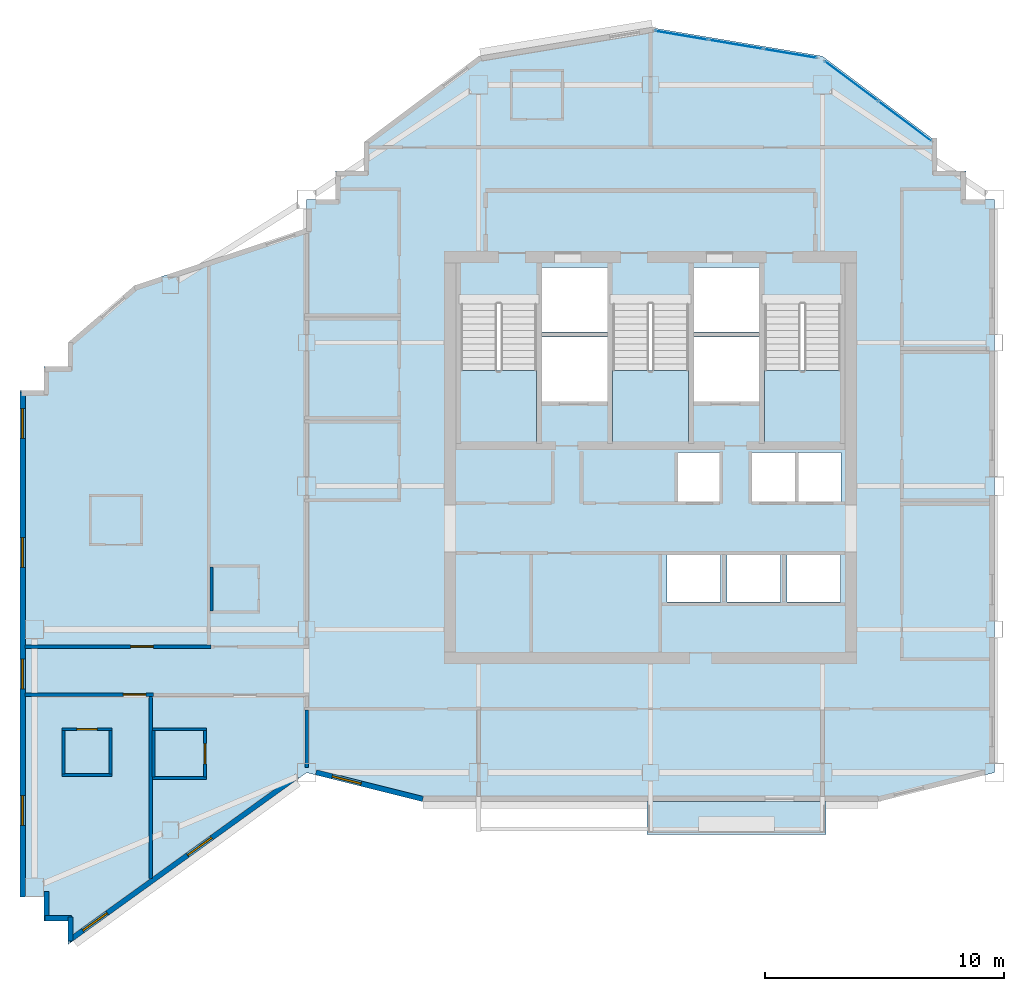
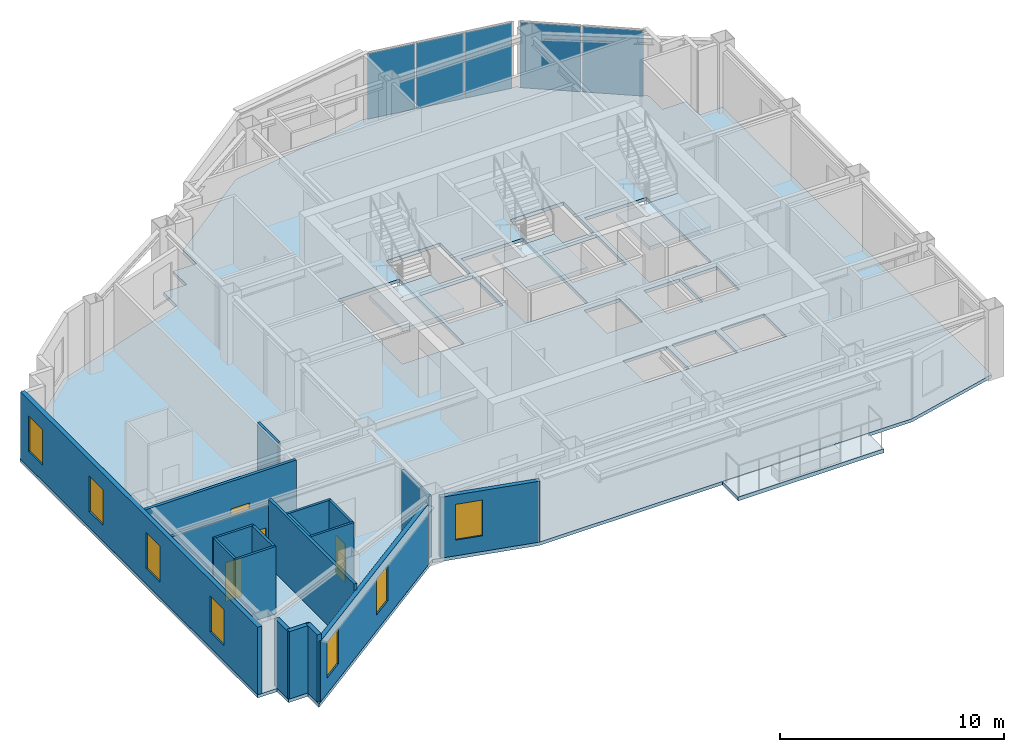
# One storey, part 4 of 10: 19 walls, 7 windows, 5 plates, 5 slabs, 4 doors, 11 openings, 5 elements without a shape of their own.
"""IFC4 building model written with IfcOpenShell, lengths in metres."""

from ifc_helpers import new_model, si_unit, direction, frame, frame_2d, origin, origin_2d, place, context, subcontext, project, spatial, polyline, rectangle, outline, extrude, material, layer, layer_set, type_object, element, fill, aggregate, save


model = new_model("IFC4")

# Units and contexts
model_context = context("Model", 3, precision=1e-05, world=origin(), true_north=direction((0.0, 1.0)))
body_context = subcontext(model_context, "Body", "Model", "MODEL_VIEW")
ifc_project = project(units=[si_unit("LENGTHUNIT", "METRE"), si_unit("AREAUNIT", "SQUARE_METRE"), si_unit("VOLUMEUNIT", "CUBIC_METRE"), si_unit("PLANEANGLEUNIT", "RADIAN"), si_unit("MASSUNIT", "GRAM", prefix="KILO")], contexts=[model_context])

# Site, building, storey
site_placement = place(None, origin())
site = spatial("IfcSite", under=ifc_project, at=site_placement, CompositionType="ELEMENT")
building_placement = place(site_placement, origin())
building = spatial("IfcBuilding", under=site, at=building_placement, Name="Haolan Belvedere Tower", CompositionType="ELEMENT")
storey_placement = place(building_placement, frame((0.0, 0.0, 246.75)))
storey = spatial("IfcBuildingStorey", under=building, at=storey_placement, Name="L62", CompositionType="ELEMENT", Elevation=246.75)

# Curtain wall, plates
ifc_material_1 = material(Name="Anodised champagne-silver aluminium 6063-T6 and Low-E glass", Category="aluminium")
ifc_layer_1 = layer(ifc_material_1, 0.14501953125, Name="Anodised champagne-silver aluminium 6063-T6 and Low-E glass")
ifc_layer_set_1 = layer_set([ifc_layer_1], Name="Anodised champagne-silver aluminium 6063-T6 and Low-E glass")
curtain_wall_type = type_object("IfcCurtainWallType", Name="CW-SYS-05", PredefinedType="NOTDEFINED", material=ifc_layer_set_1)
curtain_wall_1_placement = place(storey_placement, origin())
curtain_wall_1 = element("IfcCurtainWall", 1, at=curtain_wall_1_placement, inside=storey, type_object=curtain_wall_type, Name="L62 CW-SYS-05 ribbon curtain wall 8.1", PredefinedType="NOTDEFINED")
ifc_material_2 = material(Name="Double silver Low-E laminated insulating glass", Category="glass")
ifc_layer_2 = layer(ifc_material_2, 0.02197265625, Name="Double silver Low-E laminated insulating glass")
ifc_layer_set_2 = layer_set([ifc_layer_2], Name="Double silver Low-E laminated insulating glass")
plate_type = type_object("IfcPlateType", Name="CW-SYS-05-PNL", PredefinedType="CURTAIN_PANEL", material=ifc_layer_set_2)
plate_1_placement = place(storey_placement, frame((49.03955078125, 48.8828125, 0.0498046875), z_axis=(0.0, 0.0, 1.0), x_axis=(-0.799997871638, 0.600002837806, 0.0)))
plate_1 = element("IfcPlate", 2, at=plate_1_placement, type_object=plate_type, Name="CW-05 panel 1.1", PredefinedType="CURTAIN_PANEL", context=body_context, shape_type="SweptSolid", body=[
    extrude(rectangle(XDim=2.738037109375, YDim=0.02197265625, at=origin_2d()), origin(), (0.0, 0.0, 1.0), 3.570068359375),
])
plate_2_placement = place(storey_placement, frame((46.805908203125, 50.55810546875, 0.0498046875), z_axis=(0.0, 0.0, 1.0), x_axis=(-0.799997871638, 0.600002837806, 0.0)))
plate_2 = element("IfcPlate", 3, at=plate_2_placement, type_object=plate_type, Name="CW-05 panel 2.1", PredefinedType="CURTAIN_PANEL", context=body_context, shape_type="SweptSolid", body=[
    extrude(rectangle(XDim=2.738037109375, YDim=0.02197265625, at=origin_2d()), origin(), (0.0, 0.0, 1.0), 3.570068359375),
])
aggregate(curtain_wall_1, [plate_1, plate_2])

curtain_wall_2_placement = place(storey_placement, origin())
curtain_wall_2 = element("IfcCurtainWall", 4, at=curtain_wall_2_placement, inside=storey, type_object=curtain_wall_type, Name="L62 CW-SYS-05 ribbon curtain wall 9.1", PredefinedType="NOTDEFINED")
plate_3_placement = place(storey_placement, frame((44.257568359375, 51.712158203125, 0.0498046875), z_axis=(0.0, 0.0, 1.0), x_axis=(-0.98639276122, 0.164405962825, 0.0)))
plate_3 = element("IfcPlate", 5, at=plate_3_placement, type_object=plate_type, Name="CW-05 panel 1.1", PredefinedType="CURTAIN_PANEL", context=body_context, shape_type="SweptSolid", body=[
    extrude(rectangle(XDim=2.24365234375, YDim=0.02197265625, at=origin_2d()), origin(), (0.0, 0.0, 1.0), 3.570068359375),
])
plate_4_placement = place(storey_placement, frame((41.977783203125, 52.09228515625, 0.0498046875), z_axis=(0.0, 0.0, 1.0), x_axis=(-0.98639276122, 0.164405962825, 0.0)))
plate_4 = element("IfcPlate", 6, at=plate_4_placement, type_object=plate_type, Name="CW-05 panel 2.1", PredefinedType="CURTAIN_PANEL", context=body_context, shape_type="SweptSolid", body=[
    extrude(rectangle(XDim=2.270751953125, YDim=0.02197265625, at=origin_2d()), origin(), (0.0, 0.0, 1.0), 3.570068359375),
])
plate_5_placement = place(storey_placement, frame((39.697998046875, 52.47216796875, 0.0498046875), z_axis=(0.0, 0.0, 1.0), x_axis=(-0.98639276122, 0.164405962825, 0.0)))
plate_5 = element("IfcPlate", 7, at=plate_5_placement, type_object=plate_type, Name="CW-05 panel 3.1", PredefinedType="CURTAIN_PANEL", context=body_context, shape_type="SweptSolid", body=[
    extrude(rectangle(XDim=2.24365234375, YDim=0.02197265625, at=origin_2d()), origin(), (0.0, 0.0, 1.0), 3.570068359375),
])
aggregate(curtain_wall_2, [plate_3, plate_4, plate_5])

# Slabs
ifc_material_3 = material(Name="Concrete C40/50", Category="concrete")
ifc_layer_3 = layer(ifc_material_3, 0.2099609375, Name="Concrete C40/50")
ifc_layer_set_3 = layer_set([ifc_layer_3], Name="Concrete C40/50")
slab_type_1 = type_object("IfcSlabType", Name="SL-BAL-210", PredefinedType="FLOOR", material=ifc_layer_set_3)
slab_1_placement = place(storey_placement, frame((0.0, 0.0, -0.22998046875)))
element("IfcSlab", 8, at=slab_1_placement, inside=storey, type_object=slab_type_1, Name="L62 structural tree-planter balcony slab BAL-L62-S1", PredefinedType="FLOOR", context=body_context, shape_type="SweptSolid", body=[
    extrude(outline(polyline([(38.25, 19.02001953125), (45.75, 19.02001953125), (45.75, 20.39990234375), (38.25, 20.39990234375), (38.25, 19.02001953125)])), origin(), (0.0, 0.0, 1.0), 0.2099609375),
])
ifc_layer_4 = layer(ifc_material_3, 0.179931640625, Name="Concrete C40/50")
ifc_layer_set_4 = layer_set([ifc_layer_4], Name="Concrete C40/50")
slab_type_2 = type_object("IfcSlabType", Name="SL-FLR-180", PredefinedType="FLOOR", material=ifc_layer_set_4)
slab_2_placement = place(storey_placement, frame((0.0, 0.0, -0.179931640625)))
element("IfcSlab", 9, at=slab_2_placement, inside=storey, type_object=slab_type_2, Name="L62 structural floor slab", PredefinedType="FLOOR", context=body_context, shape_type="SweptSolid", body=[
    extrude(outline(polyline([(24.0, 21.60009765625), (28.800048828125, 20.39990234375), (48.0, 20.39990234375), (52.800048828125, 21.60009765625), (52.800048828125, 45.60009765625), (51.60009765625, 45.60009765625), (51.60009765625, 46.800048828125), (50.39990234375, 46.800048828125), (50.39990234375, 48.0), (45.60009765625, 51.60009765625), (38.39990234375, 52.800048828125), (31.199951171875, 51.60009765625), (26.39990234375, 48.0), (26.39990234375, 46.800048828125), (25.199951171875, 46.800048828125), (25.199951171875, 45.60009765625), (24.0, 45.60009765625), (24.0, 44.39990234375), (16.800048828125, 42.0), (14.0, 39.60009765625), (14.0, 38.60009765625), (13.0, 38.60009765625), (13.0, 37.60009765625), (12.0, 37.60009765625), (12.0, 16.800048828125), (12.0, 16.39990234375), (13.0, 16.39990234375), (13.0, 15.39990234375), (14.0, 15.39990234375), (14.0, 14.39990234375), (24.0, 21.60009765625)]), holes=[polyline([(30.449951171875, 41.22998046875), (30.449951171875, 35.449951171875), (33.6298828125, 35.449951171875), (33.6298828125, 41.22998046875), (30.449951171875, 41.22998046875)]), polyline([(36.81005859375, 41.22998046875), (36.81005859375, 35.449951171875), (39.989990234375, 35.449951171875), (39.989990234375, 41.22998046875), (36.81005859375, 41.22998046875)]), polyline([(43.169921875, 41.22998046875), (43.169921875, 35.449951171875), (46.35009765625, 35.449951171875), (46.35009765625, 41.22998046875), (43.169921875, 41.22998046875)]), polyline([(33.830078125, 40.050048828125), (36.610107421875, 40.050048828125), (36.610107421875, 42.75), (33.830078125, 42.75), (33.830078125, 40.050048828125)]), polyline([(33.830078125, 37.14990234375), (36.610107421875, 37.14990234375), (36.610107421875, 39.85009765625), (33.830078125, 39.85009765625), (33.830078125, 37.14990234375)]), polyline([(40.18994140625, 40.050048828125), (42.969970703125, 40.050048828125), (42.969970703125, 42.75), (40.18994140625, 42.75), (40.18994140625, 40.050048828125)]), polyline([(40.18994140625, 37.14990234375), (42.969970703125, 37.14990234375), (42.969970703125, 39.85009765625), (40.18994140625, 39.85009765625), (40.18994140625, 37.14990234375)]), polyline([(39.5400390625, 32.949951171875), (41.389892578125, 32.949951171875), (41.389892578125, 35.0), (39.5400390625, 35.0), (39.5400390625, 32.949951171875)]), polyline([(42.6201171875, 32.949951171875), (44.469970703125, 32.949951171875), (44.469970703125, 35.0), (42.6201171875, 35.0), (42.6201171875, 32.949951171875)]), polyline([(44.580078125, 32.949951171875), (46.3798828125, 32.949951171875), (46.3798828125, 35.0), (44.580078125, 35.0), (44.580078125, 32.949951171875)]), polyline([(39.10009765625, 28.75), (41.340087890625, 28.75), (41.340087890625, 30.75), (39.10009765625, 30.75), (39.10009765625, 28.75)]), polyline([(41.610107421875, 28.75), (43.85009765625, 28.75), (43.85009765625, 30.75), (41.610107421875, 30.75), (41.610107421875, 28.75)]), polyline([(44.1201171875, 28.75), (46.360107421875, 28.75), (46.360107421875, 30.75), (44.1201171875, 30.75), (44.1201171875, 28.75)])]), origin(), (0.0, 0.0, 1.0), 0.179931640625),
])

# Stair, slab
stair_type = type_object("IfcStairType", Name="STR-DL-22R-175", PredefinedType="HALF_TURN_STAIR", material=ifc_material_3)
stair_1_placement = place(storey_placement, origin())
stair_1 = element("IfcStair", 10, at=stair_1_placement, inside=storey, type_object=stair_type, Name="L62 Smokeproof Core Exit Stair ST1", PredefinedType="HALF_TURN_STAIR")
ifc_layer_5 = layer(ifc_material_3, 0.199951171875, Name="Concrete C40/50")
ifc_layer_set_5 = layer_set([ifc_layer_5], Name="Concrete C40/50")
slab_type_3 = type_object("IfcSlabType", Name="SL-LAND-200", PredefinedType="LANDING", material=ifc_layer_set_5)
slab_3_placement = place(storey_placement, frame((0.0, 0.0, 1.72509765625)))
slab_3 = element("IfcSlab", 11, at=slab_3_placement, type_object=slab_type_3, Name="ST1 landing 1", PredefinedType="LANDING", context=body_context, shape_type="SweptSolid", body=[
    extrude(outline(polyline([(30.449951171875, 38.429931640625), (30.449951171875, 35.449951171875), (33.6298828125, 35.449951171875), (33.6298828125, 38.429931640625), (30.449951171875, 38.429931640625)])), origin(), (0.0, 0.0, 1.0), 0.199951171875),
])
aggregate(stair_1, [slab_3])

stair_2_placement = place(storey_placement, origin())
stair_2 = element("IfcStair", 12, at=stair_2_placement, inside=storey, type_object=stair_type, Name="L62 Smokeproof Core Exit Stair ST3", PredefinedType="HALF_TURN_STAIR")
slab_4_placement = place(storey_placement, frame((0.0, 0.0, 1.72509765625)))
slab_4 = element("IfcSlab", 13, at=slab_4_placement, type_object=slab_type_3, Name="ST3 landing 1", PredefinedType="LANDING", context=body_context, shape_type="SweptSolid", body=[
    extrude(outline(polyline([(36.81005859375, 38.429931640625), (36.81005859375, 35.449951171875), (39.989990234375, 35.449951171875), (39.989990234375, 38.429931640625), (36.81005859375, 38.429931640625)])), origin(), (0.0, 0.0, 1.0), 0.199951171875),
])
aggregate(stair_2, [slab_4])

stair_3_placement = place(storey_placement, origin())
stair_3 = element("IfcStair", 14, at=stair_3_placement, inside=storey, type_object=stair_type, Name="L62 Smokeproof Core Exit Stair ST2", PredefinedType="HALF_TURN_STAIR")
slab_5_placement = place(storey_placement, frame((0.0, 0.0, 1.72509765625)))
slab_5 = element("IfcSlab", 15, at=slab_5_placement, type_object=slab_type_3, Name="ST2 landing 1", PredefinedType="LANDING", context=body_context, shape_type="SweptSolid", body=[
    extrude(outline(polyline([(43.169921875, 38.429931640625), (43.169921875, 35.449951171875), (46.35009765625, 35.449951171875), (46.35009765625, 38.429931640625), (43.169921875, 38.429931640625)])), origin(), (0.0, 0.0, 1.0), 0.199951171875),
])
aggregate(stair_3, [slab_5])

# Wall, openings, windows
ifc_material_4 = material(Name="Precast concrete C40/50", Category="concrete")
ifc_layer_6 = layer(ifc_material_4, 0.219970703125, Name="Precast concrete C40/50")
ifc_layer_set_6 = layer_set([ifc_layer_6], Name="Precast concrete C40/50")
wall_type_1 = type_object("IfcWallType", Name="WL-EXT-220", PredefinedType="SOLIDWALL", material=ifc_layer_set_6)
wall_1_placement = place(storey_placement, frame((12.110107421875, 37.544921875, 0.0), z_axis=(0.0, 0.0, 1.0), x_axis=(0.0, -1.0, 0.0)))
wall_1 = element("IfcWall", 16, at=wall_1_placement, inside=storey, type_object=wall_type_1, Name="L62 pale-metal exterior spandrel wall 23.1", PredefinedType="SOLIDWALL", context=body_context, shape_type="SweptSolid", body=[
    extrude(rectangle(XDim=21.14501953125, YDim=0.219970703125, at=frame_2d((10.572509765625, 0.0))), origin(), (0.0, 0.0, 1.0), 3.669921875),
])
opening_1_placement = place(wall_1_placement, frame((0.699951171875, 0.0, 0.85009765625)))
opening_1 = element("IfcOpeningElement", 17, at=opening_1_placement, cuts=wall_1, Name="Opening W-04", PredefinedType="OPENING", context=body_context, shape_type="SweptSolid", body=[
    extrude(rectangle(XDim=1.25, YDim=1.949951171875, at=frame_2d((0.625, 0.97509765625))), frame((0.0, 0.119873046875, 0.0), z_axis=(0.0, -1.0, 0.0), x_axis=(1.0, 0.0, 0.0)), (0.0, 0.0, 1.0), 0.239990234375),
])
opening_2_placement = place(wall_1_placement, frame((6.10009765625, 0.0, 0.85009765625)))
opening_2 = element("IfcOpeningElement", 18, at=opening_2_placement, cuts=wall_1, Name="Opening W-04", PredefinedType="OPENING", context=body_context, shape_type="SweptSolid", body=[
    extrude(rectangle(XDim=1.25, YDim=1.949951171875, at=frame_2d((0.625, 0.97509765625))), frame((0.0, 0.119873046875, 0.0), z_axis=(0.0, -1.0, 0.0), x_axis=(1.0, 0.0, 0.0)), (0.0, 0.0, 1.0), 0.239990234375),
])
opening_3_placement = place(wall_1_placement, frame((11.18994140625, 0.0, 0.85009765625)))
opening_3 = element("IfcOpeningElement", 19, at=opening_3_placement, cuts=wall_1, Name="Opening W-04", PredefinedType="OPENING", context=body_context, shape_type="SweptSolid", body=[
    extrude(rectangle(XDim=1.25, YDim=1.949951171875, at=frame_2d((0.625, 0.97509765625))), frame((0.0, 0.119873046875, 0.0), z_axis=(0.0, -1.0, 0.0), x_axis=(1.0, 0.0, 0.0)), (0.0, 0.0, 1.0), 0.239990234375),
])
opening_4_placement = place(wall_1_placement, frame((16.89990234375, 0.0, 0.85009765625)))
opening_4 = element("IfcOpeningElement", 20, at=opening_4_placement, cuts=wall_1, Name="Opening W-04", PredefinedType="OPENING", context=body_context, shape_type="SweptSolid", body=[
    extrude(rectangle(XDim=1.25, YDim=1.949951171875, at=frame_2d((0.625, 0.97509765625))), frame((0.0, 0.119873046875, 0.0), z_axis=(0.0, -1.0, 0.0), x_axis=(1.0, 0.0, 0.0)), (0.0, 0.0, 1.0), 0.239990234375),
])
ifc_material_5 = material(Name="Anodised aluminium 6063-T6 and Low-E glass", Category="aluminium")
window_type = type_object("IfcWindowType", Name="WN-DECO-Z4", PartitioningType="SINGLE_PANEL", PredefinedType="WINDOW", material=ifc_material_5)
window_1_placement = place(opening_1_placement, origin())
window_1 = element("IfcWindow", 21, at=window_1_placement, inside=storey, type_object=window_type, Name="L62 Art Deco chevron window 1", OverallHeight=1.949951171875, OverallWidth=1.25, PartitioningType="SINGLE_PANEL", PredefinedType="WINDOW", context=body_context, shape_type="SweptSolid", body=[
    extrude(rectangle(XDim=1.25, YDim=1.949951171875, at=frame_2d((0.625, 0.97509765625))), frame((0.0, 0.030029296875, 0.0), z_axis=(0.0, -1.0, 0.0), x_axis=(1.0, 0.0, 0.0)), (0.0, 0.0, 1.0), 0.06005859375),
])
fill(opening_1, window_1)
window_2_placement = place(opening_2_placement, origin())
window_2 = element("IfcWindow", 22, at=window_2_placement, inside=storey, type_object=window_type, Name="L62 Art Deco chevron window 2", OverallHeight=1.949951171875, OverallWidth=1.25, PartitioningType="SINGLE_PANEL", PredefinedType="WINDOW", context=body_context, shape_type="SweptSolid", body=[
    extrude(rectangle(XDim=1.25, YDim=1.949951171875, at=frame_2d((0.625, 0.97509765625))), frame((0.0, 0.030029296875, 0.0), z_axis=(0.0, -1.0, 0.0), x_axis=(1.0, 0.0, 0.0)), (0.0, 0.0, 1.0), 0.06005859375),
])
fill(opening_2, window_2)
window_3_placement = place(opening_3_placement, origin())
window_3 = element("IfcWindow", 23, at=window_3_placement, inside=storey, type_object=window_type, Name="L62 Art Deco chevron window 3", OverallHeight=1.949951171875, OverallWidth=1.25, PartitioningType="SINGLE_PANEL", PredefinedType="WINDOW", context=body_context, shape_type="SweptSolid", body=[
    extrude(rectangle(XDim=1.25, YDim=1.949951171875, at=frame_2d((0.625, 0.97509765625))), frame((0.0, 0.030029296875, 0.0), z_axis=(0.0, -1.0, 0.0), x_axis=(1.0, 0.0, 0.0)), (0.0, 0.0, 1.0), 0.06005859375),
])
fill(opening_3, window_3)
window_4_placement = place(opening_4_placement, origin())
window_4 = element("IfcWindow", 24, at=window_4_placement, inside=storey, type_object=window_type, Name="L62 Art Deco chevron window 4", OverallHeight=1.949951171875, OverallWidth=1.25, PartitioningType="SINGLE_PANEL", PredefinedType="WINDOW", context=body_context, shape_type="SweptSolid", body=[
    extrude(rectangle(XDim=1.25, YDim=1.949951171875, at=frame_2d((0.625, 0.97509765625))), frame((0.0, 0.030029296875, 0.0), z_axis=(0.0, -1.0, 0.0), x_axis=(1.0, 0.0, 0.0)), (0.0, 0.0, 1.0), 0.06005859375),
])
fill(opening_4, window_4)

# Walls
wall_2_placement = place(storey_placement, frame((13.110107421875, 16.6201171875, 0.0), z_axis=(0.0, 0.0, 1.0), x_axis=(0.0, -1.0, 0.0)))
element("IfcWall", 25, at=wall_2_placement, inside=storey, type_object=wall_type_1, Name="L62 pale-metal exterior spandrel wall 25.1", PredefinedType="SOLIDWALL", context=body_context, shape_type="SweptSolid", body=[
    extrude(rectangle(XDim=1.1650390625, YDim=0.219970703125, at=frame_2d((0.58251953125, 0.0))), origin(), (0.0, 0.0, 1.0), 3.669921875),
])
wall_3_placement = place(storey_placement, frame((13.054931640625, 15.510009765625, 0.0), z_axis=(0.0, 0.0, 1.0), x_axis=(1.0, 0.0, 0.0)))
element("IfcWall", 26, at=wall_3_placement, inside=storey, type_object=wall_type_1, Name="L62 pale-metal exterior spandrel wall 26.1", PredefinedType="SOLIDWALL", context=body_context, shape_type="SweptSolid", body=[
    extrude(rectangle(XDim=1.110107421875, YDim=0.219970703125, at=frame_2d((0.55517578125, 0.0))), origin(), (0.0, 0.0, 1.0), 3.669921875),
])
wall_4_placement = place(storey_placement, frame((14.110107421875, 15.56494140625, 0.0), z_axis=(0.0, 0.0, 1.0), x_axis=(0.0, -1.0, 0.0)))
element("IfcWall", 27, at=wall_4_placement, inside=storey, type_object=wall_type_1, Name="L62 pale-metal exterior spandrel wall 27.1", PredefinedType="SOLIDWALL", context=body_context, shape_type="SweptSolid", body=[
    extrude(rectangle(XDim=1.005126953125, YDim=0.219970703125, at=frame_2d((0.50244140625, 0.0))), origin(), (0.0, 0.0, 1.0), 3.669921875),
])

# Wall, openings, windows
wall_5_placement = place(storey_placement, frame((14.0654296875, 14.58251953125, 0.0), z_axis=(0.0, 0.0, 1.0), x_axis=(0.811523708458, 0.584319493608, 0.0)))
wall_5 = element("IfcWall", 28, at=wall_5_placement, inside=storey, type_object=wall_type_1, Name="L62 pale-metal exterior spandrel wall 28.1", PredefinedType="SOLIDWALL", context=body_context, shape_type="SweptSolid", body=[
    extrude(rectangle(XDim=11.7587890625, YDim=0.219970703125, at=frame_2d((5.87939453125, 0.0))), origin(), (0.0, 0.0, 1.0), 3.31494140625),
])
opening_5_placement = place(wall_5_placement, frame((0.699951171875, 0.0, 0.85009765625)))
opening_5 = element("IfcOpeningElement", 29, at=opening_5_placement, cuts=wall_5, Name="Opening W-04", PredefinedType="OPENING", context=body_context, shape_type="SweptSolid", body=[
    extrude(rectangle(XDim=1.25, YDim=1.949951171875, at=frame_2d((0.625, 0.97509765625))), frame((0.0, 0.119873046875, 0.0), z_axis=(0.0, -1.0, 0.0), x_axis=(1.0, 0.0, 0.0)), (0.0, 0.0, 1.0), 0.239990234375),
])
opening_6_placement = place(wall_5_placement, frame((6.10009765625, 0.0, 0.85009765625)))
opening_6 = element("IfcOpeningElement", 30, at=opening_6_placement, cuts=wall_5, Name="Opening W-04", PredefinedType="OPENING", context=body_context, shape_type="SweptSolid", body=[
    extrude(rectangle(XDim=1.25, YDim=1.949951171875, at=frame_2d((0.625, 0.97509765625))), frame((0.0, 0.119873046875, 0.0), z_axis=(0.0, -1.0, 0.0), x_axis=(1.0, 0.0, 0.0)), (0.0, 0.0, 1.0), 0.239990234375),
])
window_5_placement = place(opening_5_placement, origin())
window_5 = element("IfcWindow", 31, at=window_5_placement, inside=storey, type_object=window_type, Name="L62 Art Deco chevron window 1", OverallHeight=1.949951171875, OverallWidth=1.25, PartitioningType="SINGLE_PANEL", PredefinedType="WINDOW", context=body_context, shape_type="SweptSolid", body=[
    extrude(rectangle(XDim=1.25, YDim=1.949951171875, at=frame_2d((0.625, 0.97509765625))), frame((0.0, 0.030029296875, 0.0), z_axis=(0.0, -1.0, 0.0), x_axis=(1.0, 0.0, 0.0)), (0.0, 0.0, 1.0), 0.06005859375),
])
fill(opening_5, window_5)
window_6_placement = place(opening_6_placement, origin())
window_6 = element("IfcWindow", 32, at=window_6_placement, inside=storey, type_object=window_type, Name="L62 Art Deco chevron window 2", OverallHeight=1.949951171875, OverallWidth=1.25, PartitioningType="SINGLE_PANEL", PredefinedType="WINDOW", context=body_context, shape_type="SweptSolid", body=[
    extrude(rectangle(XDim=1.25, YDim=1.949951171875, at=frame_2d((0.625, 0.97509765625))), frame((0.0, 0.030029296875, 0.0), z_axis=(0.0, -1.0, 0.0), x_axis=(1.0, 0.0, 0.0)), (0.0, 0.0, 1.0), 0.06005859375),
])
fill(opening_6, window_6)

# Wall, opening, window
wall_6_placement = place(storey_placement, frame((24.39208984375, 21.615478515625, 0.0), z_axis=(0.0, 0.0, 1.0), x_axis=(0.970133159038, -0.242572986408, 0.0)))
wall_6 = element("IfcWall", 33, at=wall_6_placement, inside=storey, type_object=wall_type_1, Name="L62 pale-metal exterior spandrel wall 29.1", PredefinedType="SOLIDWALL", context=body_context, shape_type="SweptSolid", body=[
    extrude(rectangle(XDim=4.612548828125, YDim=0.219970703125, at=frame_2d((2.30615234375, 0.0))), origin(), (0.0, 0.0, 1.0), 3.31494140625),
])
opening_7_placement = place(wall_6_placement, frame((0.699951171875, 0.0, 0.85009765625)))
opening_7 = element("IfcOpeningElement", 34, at=opening_7_placement, cuts=wall_6, Name="Opening W-04", PredefinedType="OPENING", context=body_context, shape_type="SweptSolid", body=[
    extrude(rectangle(XDim=1.25, YDim=1.949951171875, at=frame_2d((0.625, 0.97509765625))), frame((0.0, 0.119873046875, 0.0), z_axis=(0.0, -1.0, 0.0), x_axis=(1.0, 0.0, 0.0)), (0.0, 0.0, 1.0), 0.239990234375),
])
window_7_placement = place(opening_7_placement, origin())
window_7 = element("IfcWindow", 35, at=window_7_placement, inside=storey, type_object=window_type, Name="L62 Art Deco chevron window 1", OverallHeight=1.949951171875, OverallWidth=1.25, PartitioningType="SINGLE_PANEL", PredefinedType="WINDOW", context=body_context, shape_type="SweptSolid", body=[
    extrude(rectangle(XDim=1.25, YDim=1.949951171875, at=frame_2d((0.625, 0.97509765625))), frame((0.0, 0.030029296875, 0.0), z_axis=(0.0, -1.0, 0.0), x_axis=(1.0, 0.0, 0.0)), (0.0, 0.0, 1.0), 0.06005859375),
])
fill(opening_7, window_7)

# Wall
ifc_material_6 = material(Name="Double gypsum acoustic stud partition", Category="masonry")
ifc_layer_7 = layer(ifc_material_6, 0.14990234375, Name="Double gypsum acoustic stud partition")
ifc_layer_set_7 = layer_set([ifc_layer_7], Name="Double gypsum acoustic stud partition")
wall_type_2 = type_object("IfcWallType", Name="WL-PART-150", PredefinedType="PARTITIONING", material=ifc_layer_set_7)
wall_7_placement = place(storey_placement, frame((24.0, 21.818603515625, 0.0), z_axis=(0.0, 0.0, 1.0), x_axis=(0.0, 1.0, 0.0)))
element("IfcWall", 36, at=wall_7_placement, inside=storey, type_object=wall_type_2, Name="L62 interior partition IW-L62-KS1-W", PredefinedType="PARTITIONING", context=body_context, shape_type="SweptSolid", body=[
    extrude(rectangle(XDim=2.4013671875, YDim=0.14990234375, at=frame_2d((1.20068359375, 0.0))), origin(), (0.0, 0.0, 1.0), 3.31494140625),
])

# Wall, opening, door
wall_8_placement = place(storey_placement, frame((12.2119140625, 26.8798828125, 0.0), z_axis=(0.0, 0.0, 1.0), x_axis=(1.0, 0.0, 0.0)))
wall_8 = element("IfcWall", 37, at=wall_8_placement, inside=storey, type_object=wall_type_2, Name="L62 interior partition IW-L62-T2N1-S", PredefinedType="PARTITIONING", context=body_context, shape_type="SweptSolid", body=[
    extrude(rectangle(XDim=7.7880859375, YDim=0.14990234375, at=frame_2d((3.89404296875, 0.0))), origin(), (0.0, 0.0, 1.0), 3.669921875),
])
opening_8_placement = place(wall_8_placement, frame((4.4248046875, 0.0, 0.0)))
opening_8 = element("IfcOpeningElement", 38, at=opening_8_placement, cuts=wall_8, Name="Opening ID-01", PredefinedType="OPENING", context=body_context, shape_type="SweptSolid", body=[
    extrude(rectangle(XDim=0.949951171875, YDim=2.179931640625, at=frame_2d((0.47509765625, 1.08984375))), frame((0.0, 0.0849609375, 0.0), z_axis=(0.0, -1.0, 0.0), x_axis=(1.0, 0.0, 0.0)), (0.0, 0.0, 1.0), 0.169921875),
])
ifc_material_7 = material(Name="Acoustic walnut veneer fire-rated timber", Category="wood")
door_type_1 = type_object("IfcDoorType", Name="DR-SUITE-950", OperationType="NOTDEFINED", PredefinedType="DOOR", material=ifc_material_7)
door_1_placement = place(opening_8_placement, origin())
door_1 = element("IfcDoor", 39, at=door_1_placement, inside=storey, type_object=door_type_1, Name="L62 door ID-L62-T2N1-ENT", OperationType="SINGLE_SWING_LEFT", OverallHeight=2.179931640625, OverallWidth=0.949951171875, PredefinedType="DOOR", context=body_context, shape_type="SweptSolid", body=[
    extrude(rectangle(XDim=0.949951171875, YDim=2.179931640625, at=frame_2d((0.47509765625, 1.08984375))), frame((0.0, 0.02490234375, 0.0), z_axis=(0.0, -1.0, 0.0), x_axis=(1.0, 0.0, 0.0)), (0.0, 0.0, 1.0), 0.050048828125),
])
fill(opening_8, door_1)

wall_9_placement = place(storey_placement, frame((12.2119140625, 24.8701171875, 0.0), z_axis=(0.0, 0.0, 1.0), x_axis=(1.0, 0.0, 0.0)))
wall_9 = element("IfcWall", 40, at=wall_9_placement, inside=storey, type_object=wall_type_2, Name="L62 interior partition IW-L62-T2S1-N", PredefinedType="PARTITIONING", context=body_context, shape_type="SweptSolid", body=[
    extrude(rectangle(XDim=5.3681640625, YDim=0.14990234375, at=frame_2d((2.68408203125, 0.0))), origin(), (0.0, 0.0, 1.0), 3.35498046875),
])
opening_9_placement = place(wall_9_placement, frame((5.0615234375, 0.0, 0.0), z_axis=(0.0, 0.0, 1.0), x_axis=(-1.0, 0.0, 0.0)))
opening_9 = element("IfcOpeningElement", 41, at=opening_9_placement, cuts=wall_9, Name="Opening ID-02", PredefinedType="OPENING", context=body_context, shape_type="SweptSolid", body=[
    extrude(rectangle(XDim=0.949951171875, YDim=2.14990234375, at=frame_2d((0.47509765625, 1.074951171875))), frame((0.0, 0.0849609375, 0.0), z_axis=(0.0, -1.0, 0.0), x_axis=(1.0, 0.0, 0.0)), (0.0, 0.0, 1.0), 0.169921875),
])
ifc_material_8 = material(Name="Acoustic oak veneer fire-rated timber", Category="wood")
door_type_2 = type_object("IfcDoorType", Name="DR-GUEST-950", OperationType="NOTDEFINED", PredefinedType="DOOR", material=ifc_material_8)
door_2_placement = place(opening_9_placement, origin())
door_2 = element("IfcDoor", 42, at=door_2_placement, inside=storey, type_object=door_type_2, Name="L62 door ID-L62-T2S1-ENT", OperationType="SINGLE_SWING_LEFT", OverallHeight=2.14990234375, OverallWidth=0.949951171875, PredefinedType="DOOR", context=body_context, shape_type="SweptSolid", body=[
    extrude(rectangle(XDim=0.949951171875, YDim=2.14990234375, at=frame_2d((0.47509765625, 1.074951171875))), frame((0.0, 0.02490234375, 0.0), z_axis=(0.0, -1.0, 0.0), x_axis=(1.0, 0.0, 0.0)), (0.0, 0.0, 1.0), 0.050048828125),
])
fill(opening_9, door_2)

# Walls
wall_10_placement = place(storey_placement, frame((17.47998046875, 17.166748046875, 0.0), z_axis=(0.0, 0.0, 1.0), x_axis=(0.0, 1.0, 0.0)))
element("IfcWall", 43, at=wall_10_placement, inside=storey, type_object=wall_type_2, Name="L62 interior partition IW-L62-T2S1-E", PredefinedType="PARTITIONING", context=body_context, shape_type="SweptSolid", body=[
    extrude(rectangle(XDim=7.643310546875, YDim=0.14990234375, at=frame_2d((3.82177734375, 0.0))), origin(), (0.0, 0.0, 1.0), 3.669921875),
])
ifc_material_9 = material(Name="Moisture-resistant gypsum tile partition", Category="masonry")
ifc_layer_8 = layer(ifc_material_9, 0.1201171875, Name="Moisture-resistant gypsum tile partition")
ifc_layer_set_8 = layer_set([ifc_layer_8], Name="Moisture-resistant gypsum tile partition")
wall_type_3 = type_object("IfcWallType", Name="WL-WET-120", PredefinedType="PARTITIONING", material=ifc_layer_set_8)
wall_11_placement = place(storey_placement, frame((20.01416015625, 28.375, 0.0), z_axis=(0.0, 0.0, 1.0), x_axis=(0.0, 1.0, 0.0)))
element("IfcWall", 44, at=wall_11_placement, inside=storey, type_object=wall_type_3, Name="L62 interior partition IW-L62-T2N2-BW", PredefinedType="PARTITIONING", context=body_context, shape_type="SweptSolid", body=[
    extrude(rectangle(XDim=1.830078125, YDim=0.1201171875, at=frame_2d((0.9150390625, 0.0))), origin(), (0.0, 0.0, 1.0), 3.669921875),
])

# Wall, opening, door
wall_12_placement = place(storey_placement, frame((13.7548828125, 23.419921875, 0.0), z_axis=(0.0, 0.0, 1.0), x_axis=(1.0, 0.0, 0.0)))
wall_12 = element("IfcWall", 45, at=wall_12_placement, inside=storey, type_object=wall_type_3, Name="L62 interior partition IW-L62-T2S1-BN", PredefinedType="PARTITIONING", context=body_context, shape_type="SweptSolid", body=[
    extrude(rectangle(XDim=2.10009765625, YDim=0.1201171875, at=frame_2d((1.050048828125, 0.0))), origin(), (0.0, 0.0, 1.0), 3.669921875),
])
opening_10_placement = place(wall_12_placement, frame((1.47509765625, 0.0, 0.0), z_axis=(0.0, 0.0, 1.0), x_axis=(-1.0, 0.0, 0.0)))
opening_10 = element("IfcOpeningElement", 46, at=opening_10_placement, cuts=wall_12, Name="Opening ID-05", PredefinedType="OPENING", context=body_context, shape_type="SweptSolid", body=[
    extrude(rectangle(XDim=0.85009765625, YDim=2.10009765625, at=frame_2d((0.425048828125, 1.050048828125))), frame((0.0, 0.070068359375, 0.0), z_axis=(0.0, -1.0, 0.0), x_axis=(1.0, 0.0, 0.0)), (0.0, 0.0, 1.0), 0.14013671875),
])
ifc_material_10 = material(Name="Moisture-resistant lacquered timber", Category="wood")
door_type_3 = type_object("IfcDoorType", Name="DR-BATH-850", OperationType="NOTDEFINED", PredefinedType="DOOR", material=ifc_material_10)
door_3_placement = place(opening_10_placement, origin())
door_3 = element("IfcDoor", 47, at=door_3_placement, inside=storey, type_object=door_type_3, Name="L62 door ID-L62-T2S1-BATH", OperationType="SINGLE_SWING_RIGHT", OverallHeight=2.10009765625, OverallWidth=0.85009765625, PredefinedType="DOOR", context=body_context, shape_type="SweptSolid", body=[
    extrude(rectangle(XDim=0.85009765625, YDim=2.10009765625, at=frame_2d((0.425048828125, 1.050048828125))), frame((0.0, 0.02490234375, 0.0), z_axis=(0.0, -1.0, 0.0), x_axis=(1.0, 0.0, 0.0)), (0.0, 0.0, 1.0), 0.050048828125),
])
fill(opening_10, door_3)

# Walls
wall_13_placement = place(storey_placement, frame((13.7548828125, 21.5, 0.0), z_axis=(0.0, 0.0, 1.0), x_axis=(1.0, 0.0, 0.0)))
element("IfcWall", 48, at=wall_13_placement, inside=storey, type_object=wall_type_3, Name="L62 interior partition IW-L62-T2S1-BS", PredefinedType="PARTITIONING", context=body_context, shape_type="SweptSolid", body=[
    extrude(rectangle(XDim=2.10009765625, YDim=0.1201171875, at=frame_2d((1.050048828125, 0.0))), origin(), (0.0, 0.0, 1.0), 3.669921875),
])
for number, where, z_axis, x_axis, name in (
    (49, (13.81494140625, 21.544921875, 0.0), (0.0, 0.0, 1.0), (0.0, 1.0, 0.0), "L62 interior partition IW-L62-T2S1-BW"),
    (50, (15.794921875, 21.544921875, 0.0), (0.0, 0.0, 1.0), (0.0, 1.0, 0.0), "L62 interior partition IW-L62-T2S1-BE"),
):
    element("IfcWall", number, at=place(storey_placement, frame(where, z_axis=z_axis, x_axis=x_axis)), inside=storey, type_object=wall_type_3, Name=name, PredefinedType="PARTITIONING", context=body_context, shape_type="SweptSolid", body=[
        extrude(rectangle(XDim=1.830078125, YDim=0.1201171875, at=frame_2d((0.9150390625, 0.0))), origin(), (0.0, 0.0, 1.0), 3.669921875),
    ])
for number, where, z_axis, x_axis, name in (
    (51, (17.5400390625, 23.419921875, 0.0), (0.0, 0.0, 1.0), (1.0, 0.0, 0.0), "L62 interior partition IW-L62-T2S2-BN"),
    (52, (17.5400390625, 21.3701171875, 0.0), (0.0, 0.0, 1.0), (1.0, 0.0, 0.0), "L62 interior partition IW-L62-T2S2-BS"),
):
    element("IfcWall", number, at=place(storey_placement, frame(where, z_axis=z_axis, x_axis=x_axis)), inside=storey, type_object=wall_type_3, Name=name, PredefinedType="PARTITIONING", context=body_context, shape_type="SweptSolid", body=[
        extrude(rectangle(XDim=2.264892578125, YDim=0.1201171875, at=frame_2d((1.13232421875, 0.0))), origin(), (0.0, 0.0, 1.0), 3.669921875),
    ])
wall_14_placement = place(storey_placement, frame((17.594970703125, 21.4150390625, 0.0), z_axis=(0.0, 0.0, 1.0), x_axis=(0.0, 1.0, 0.0)))
element("IfcWall", 53, at=wall_14_placement, inside=storey, type_object=wall_type_3, Name="L62 interior partition IW-L62-T2S2-BW", PredefinedType="PARTITIONING", context=body_context, shape_type="SweptSolid", body=[
    extrude(rectangle(XDim=1.9599609375, YDim=0.1201171875, at=frame_2d((0.97998046875, 0.0))), origin(), (0.0, 0.0, 1.0), 3.669921875),
])

# Wall, opening, door
wall_15_placement = place(storey_placement, frame((19.7451171875, 21.4150390625, 0.0), z_axis=(0.0, 0.0, 1.0), x_axis=(0.0, 1.0, 0.0)))
wall_15 = element("IfcWall", 54, at=wall_15_placement, inside=storey, type_object=wall_type_3, Name="L62 interior partition IW-L62-T2S2-BE", PredefinedType="PARTITIONING", context=body_context, shape_type="SweptSolid", body=[
    extrude(rectangle(XDim=1.9599609375, YDim=0.1201171875, at=frame_2d((0.97998046875, 0.0))), origin(), (0.0, 0.0, 1.0), 3.669921875),
])
opening_11_placement = place(wall_15_placement, frame((0.554931640625, 0.0, 0.0)))
opening_11 = element("IfcOpeningElement", 55, at=opening_11_placement, cuts=wall_15, Name="Opening ID-05", PredefinedType="OPENING", context=body_context, shape_type="SweptSolid", body=[
    extrude(rectangle(XDim=0.85009765625, YDim=2.10009765625, at=frame_2d((0.425048828125, 1.050048828125))), frame((0.0, 0.070068359375, 0.0), z_axis=(0.0, -1.0, 0.0), x_axis=(1.0, 0.0, 0.0)), (0.0, 0.0, 1.0), 0.14013671875),
])
door_4_placement = place(opening_11_placement, origin())
door_4 = element("IfcDoor", 56, at=door_4_placement, inside=storey, type_object=door_type_3, Name="L62 door ID-L62-T2S2-BATH", OperationType="SINGLE_SWING_LEFT", OverallHeight=2.10009765625, OverallWidth=0.85009765625, PredefinedType="DOOR", context=body_context, shape_type="SweptSolid", body=[
    extrude(rectangle(XDim=0.85009765625, YDim=2.10009765625, at=frame_2d((0.425048828125, 1.050048828125))), frame((0.0, 0.02490234375, 0.0), z_axis=(0.0, -1.0, 0.0), x_axis=(1.0, 0.0, 0.0)), (0.0, 0.0, 1.0), 0.050048828125),
])
fill(opening_11, door_4)

save(model, "model.ifc")
